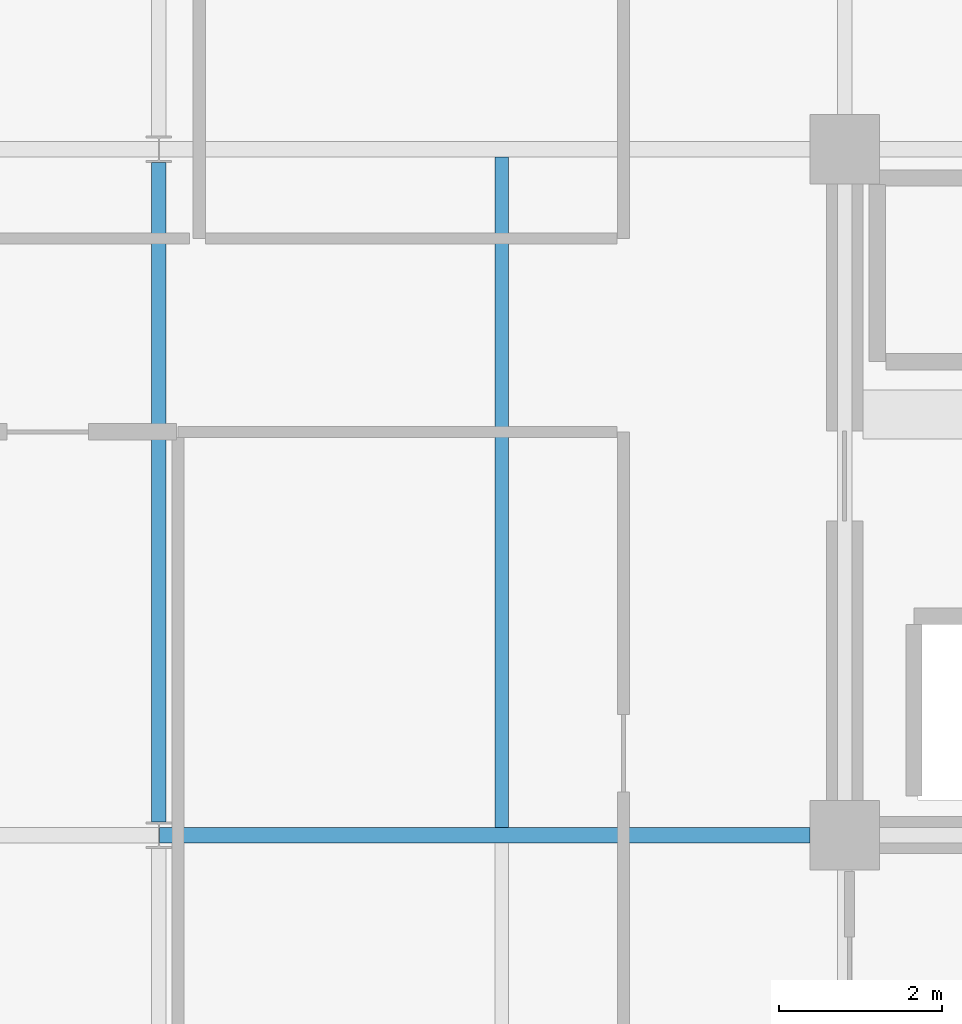
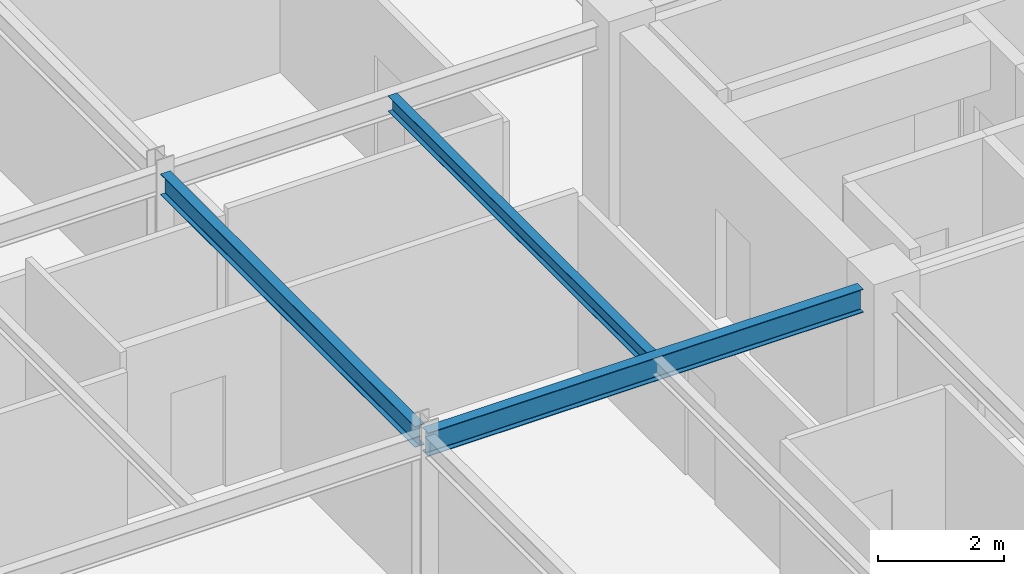
# One storey, part 6 of 24: 3 beams.
"""IFC4 building model written with IfcOpenShell, lengths in metres."""

import ifcopenshell
import ifcopenshell.guid

model = None  # the IFC model being written
_history = None  # IfcOwnerHistory: only IFC2X3 demands one
_inside = {}  # id of a spatial element -> (the spatial element, [elements in it])
_under = {}  # id of a project, library or spatial element -> (it, [spatial elements below it])
_declared = {}  # id of a project -> (the project, [libraries it declares])
_typed = {}  # id of a type object -> (the type object, [elements of that type])
_made_of = {}  # id of a material, layer set ... -> (it, [elements and type objects made of it])


def new_model(schema):
    """Start an empty IFC model of exactly this schema.

    Asked for "IFC4X3", IfcOpenShell would pick the latest addendum, in which some entities
    have other attributes; the version numbers below select the first issue.
    IFC2X3 requires an IfcOwnerHistory on every rooted entity: one is made here for all.
    """
    global model, _history
    if schema == "IFC4X3":
        model = ifcopenshell.file(schema_version=(4, 3, 0, 0))
    else:
        model = ifcopenshell.file(schema=schema)
    _inside.clear()
    _under.clear()
    _declared.clear()
    _typed.clear()
    _made_of.clear()
    _history = None
    if model.schema == "IFC2X3":
        org = make("IfcOrganization", Name="unknown")
        user = make(
            "IfcPersonAndOrganization",
            ThePerson=make("IfcPerson", FamilyName="unknown"),
            TheOrganization=org,
        )
        app = make(
            "IfcApplication",
            ApplicationDeveloper=org,
            Version="unknown",
            ApplicationFullName="unknown",
            ApplicationIdentifier="unknown",
        )
        _history = make(
            "IfcOwnerHistory",
            OwningUser=user,
            OwningApplication=app,
            ChangeAction="ADDED",
            CreationDate=0,
        )
    return model


def make(cls, **values):
    """One entity of the class cls with the attributes given. An attribute that is None is left unset."""
    return model.create_entity(
        cls, **{name: value for name, value in values.items() if value is not None}
    )


def rooted(cls, **values):
    """An entity with a GlobalId (a new one), such as an element, a storey or a relation."""
    return make(cls, GlobalId=ifcopenshell.guid.new(), OwnerHistory=_history, **values)


def si_unit(unit_type, name, prefix=None):
    """IfcSIUnit, for example si_unit("LENGTHUNIT", "METRE", prefix="MILLI")."""
    return make("IfcSIUnit", UnitType=unit_type, Prefix=prefix, Name=name)


def assignment(units):
    """IfcUnitAssignment: the units of a project."""
    return None if units is None else make("IfcUnitAssignment", Units=units)


def point(xyz):
    """IfcCartesianPoint."""
    return None if xyz is None else make("IfcCartesianPoint", Coordinates=xyz)


def direction(xyz):
    """IfcDirection."""
    return None if xyz is None else make("IfcDirection", DirectionRatios=xyz)


def frame(location, z_axis=None, x_axis=None):
    """IfcAxis2Placement3D, a coordinate frame: its origin and axes. An axis left out is left unset."""
    return make(
        "IfcAxis2Placement3D",
        Location=point(location),
        Axis=direction(z_axis),
        RefDirection=direction(x_axis),
    )


def frame_2d(location, x_axis=None):
    """IfcAxis2Placement2D, a coordinate frame in the plane: its origin and x axis."""
    return make(
        "IfcAxis2Placement2D", Location=point(location), RefDirection=direction(x_axis)
    )


def origin():
    """The frame at (0, 0, 0) with its axes left unset."""
    return frame((0.0, 0.0, 0.0))


def origin_2d():
    """The frame at (0, 0) in the plane with its x axis left unset."""
    return frame_2d((0.0, 0.0))


def place(relative_to, where):
    """IfcLocalPlacement: puts the frame where relative to a parent placement (None: the world)."""
    return make(
        "IfcLocalPlacement", PlacementRelTo=relative_to, RelativePlacement=where
    )


def context(
    kind, dimensions, precision=None, world=None, true_north=None, identifier=None
):
    """IfcGeometricRepresentationContext, for example the 3D "Model" context."""
    return make(
        "IfcGeometricRepresentationContext",
        ContextIdentifier=identifier,
        ContextType=kind,
        CoordinateSpaceDimension=dimensions,
        Precision=precision,
        WorldCoordinateSystem=world,
        TrueNorth=true_north,
    )


def subcontext(parent, identifier, kind, view, scale=None):
    """IfcGeometricRepresentationSubContext, for example "Body" below "Model"."""
    return make(
        "IfcGeometricRepresentationSubContext",
        ContextIdentifier=identifier,
        ContextType=kind,
        ParentContext=parent,
        TargetScale=scale,
        TargetView=view,
    )


def project(units=None, contexts=None):
    """IfcProject with its units and contexts."""
    return rooted(
        "IfcProject",
        Name="project",
        RepresentationContexts=contexts,
        UnitsInContext=assignment(units),
    )


def spatial(cls, under=None, at=None, **own):
    """A site, building, storey or space (cls), placed at a placement, below another one or the project."""
    s = rooted(cls, ObjectPlacement=at, **own)
    if under is not None:
        _under.setdefault(under.id(), (under, []))[1].append(s)
    return s


def profile(cls, at=None, kind="AREA", **sizes):
    """A parametric profile (cls). Its sizes go by their IFC names, for example OverallWidth=200.0."""
    return make(cls, ProfileType=kind, Position=at, **sizes)


def i_section(**sizes):
    """IfcIShapeProfileDef."""
    return profile("IfcIShapeProfileDef", **sizes)


def extrude(swept, where, along, depth):
    """IfcExtrudedAreaSolid: the profile swept, set in the frame where, extruded along a direction by depth."""
    return make(
        "IfcExtrudedAreaSolid",
        SweptArea=swept,
        Position=where,
        ExtrudedDirection=direction(along),
        Depth=depth,
    )


def shape(context_of_items, identifier, shape_type, items):
    """IfcShapeRepresentation: the items that make up one representation, for example the "Body"."""
    return make(
        "IfcShapeRepresentation",
        ContextOfItems=context_of_items,
        RepresentationIdentifier=identifier,
        RepresentationType=shape_type,
        Items=items,
    )


def material(Name=None, Category=None):
    """IfcMaterial."""
    return make("IfcMaterial", Name=Name, Category=Category)


def material_profile(
    of_material, cross_section, Name=None, Category=None, Priority=None
):
    """IfcMaterialProfile: a cross section and its material."""
    return make(
        "IfcMaterialProfile",
        Name=Name,
        Material=of_material,
        Profile=cross_section,
        Priority=Priority,
        Category=Category,
    )


def profile_set(profiles, Name=None, composite=None):
    """IfcMaterialProfileSet."""
    return make(
        "IfcMaterialProfileSet",
        Name=Name,
        MaterialProfiles=profiles,
        CompositeProfile=composite,
    )


def made_of(thing, what):
    """Note that an element or type object is made of a material, layer set ...; save() writes the relation."""
    if what is not None:
        _made_of.setdefault(what.id(), (what, []))[1].append(thing)
    return thing


def type_object(cls, material=None, **own):
    """A type object (cls), such as IfcWallType, which elements share."""
    return made_of(rooted(cls, **own), material)


def element(
    cls,
    number,
    at=None,
    inside=None,
    cuts=None,
    type_object=None,
    material=None,
    context=None,
    identifier="Body",
    shape_type=None,
    held_by="IfcProductDefinitionShape",
    body=None,
    shapes=None,
    **own,
):
    """One element of the class cls, such as IfcWall. Its Tag is "e" and its number.

    at: its placement. inside: the storey or other place that contains it. cuts: it is an
    opening in that element (IfcRelVoidsElement). A single representation is given by context,
    identifier, shape_type and body (its items); several are given by shapes. held_by: the class
    of the entity that holds the representations. save() writes the other relations.
    """
    e = rooted(cls, Tag="e%d" % number, ObjectPlacement=at, **own)
    if body is not None:
        shapes = [shape(context, identifier, shape_type, body)]
    if shapes is not None:
        e.Representation = make(held_by, Representations=shapes)
    if inside is not None:
        _inside.setdefault(inside.id(), (inside, []))[1].append(e)
    if cuts is not None:
        rooted(
            "IfcRelVoidsElement", RelatingBuildingElement=cuts, RelatedOpeningElement=e
        )
    if type_object is not None:
        _typed.setdefault(type_object.id(), (type_object, []))[1].append(e)
    return made_of(e, material)


def aggregate(whole, parts):
    """IfcRelAggregates: a whole, such as a stair, and the parts it consists of."""
    return rooted("IfcRelAggregates", RelatingObject=whole, RelatedObjects=parts)


def save(model, path):
    """Write the relations noted so far, then the file.

    IfcRelAggregates (storeys below a building ...), IfcRelContainedInSpatialStructure (elements
    in a storey), IfcRelDefinesByType, IfcRelAssociatesMaterial and IfcRelDeclares: one each for
    every whole, place, type object, material and project.
    """
    for whole, parts in _under.values():
        aggregate(whole, parts)
    for where, things in _inside.values():
        rooted(
            "IfcRelContainedInSpatialStructure",
            RelatedElements=things,
            RelatingStructure=where,
        )
    for kind, things in _typed.values():
        rooted("IfcRelDefinesByType", RelatedObjects=things, RelatingType=kind)
    for what, things in _made_of.values():
        rooted("IfcRelAssociatesMaterial", RelatedObjects=things, RelatingMaterial=what)
    for by, libraries in _declared.values():
        rooted("IfcRelDeclares", RelatingContext=by, RelatedDefinitions=libraries)
    model.write(path)


model = new_model("IFC4")

# Units and contexts
model_context = context("Model", 3, precision=1e-05, world=origin(), true_north=direction((0.0, 1.0)))
body_context = subcontext(model_context, "Body", "Model", "MODEL_VIEW")
ifc_project = project(units=[si_unit("LENGTHUNIT", "METRE"), si_unit("AREAUNIT", "SQUARE_METRE"), si_unit("VOLUMEUNIT", "CUBIC_METRE"), si_unit("PLANEANGLEUNIT", "RADIAN"), si_unit("MASSUNIT", "GRAM", prefix="KILO")], contexts=[model_context])

# Site, building, storey
site_placement = place(None, origin())
site = spatial("IfcSite", under=ifc_project, at=site_placement, CompositionType="ELEMENT")
building_placement = place(site_placement, origin())
building = spatial("IfcBuilding", under=site, at=building_placement, Name="Nerrivon Quay Data Exchange", CompositionType="ELEMENT")
storey_placement = place(building_placement, frame((0.0, 0.0, 306.199951171875)))
storey = spatial("IfcBuildingStorey", under=building, at=storey_placement, Name="L73", CompositionType="ELEMENT", Elevation=306.199951171875)

# Beams
ifc_material = material(Name="Steel Grade 350", Category="steel")
ifc_material_profile_1 = material_profile(ifc_material, i_section(OverallWidth=0.18994140625, OverallDepth=0.4541015625, WebThickness=0.008544921875, FlangeThickness=0.0126953125, FilletRadius=0.011474609375, at=origin_2d()), Name="460UB67.1")
ifc_profile_set_1 = profile_set([ifc_material_profile_1], Name="Steel Grade 350")
beam_type_1 = type_object("IfcBeamType", Name="BM-G6-460UB67", PredefinedType="BEAM", material=ifc_profile_set_1)
beam_1_placement = place(storey_placement, frame((8.40771484375, 8.39990234375, 3.498046875), z_axis=(1.0, 0.0, 0.0), x_axis=(0.0, 1.0, 0.0)))
element("IfcBeam", 1, at=beam_1_placement, inside=storey, type_object=beam_type_1, Name="L73 EW Girder Y=8.4 (8.4..16.8)", PredefinedType="BEAM", context=body_context, shape_type="SweptSolid", body=[
    extrude(i_section(OverallWidth=0.18994140625, OverallDepth=0.4541015625, WebThickness=0.008544921875, FlangeThickness=0.0126953125, FilletRadius=0.011474609375, at=origin_2d()), origin(), (0.0, 0.0, 1.0), 7.96728515625),
])
ifc_material_profile_2 = material_profile(ifc_material, i_section(OverallWidth=0.177978515625, OverallDepth=0.406005859375, WebThickness=0.0078125, FlangeThickness=0.0126953125, FilletRadius=0.011474609375, at=origin_2d()), Name="410UB59.7")
ifc_profile_set_2 = profile_set([ifc_material_profile_2], Name="Steel Grade 350")
beam_type_2 = type_object("IfcBeamType", Name="BM-J1-410UB60", PredefinedType="JOIST", material=ifc_profile_set_2)
beam_2_placement = place(storey_placement, frame((8.39990234375, 8.5634765625, 3.52197265625), z_axis=(0.0, 1.0, 0.0), x_axis=(-1.0, 0.0, 0.0)))
element("IfcBeam", 2, at=beam_2_placement, inside=storey, type_object=beam_type_2, Name="L73 NS Girder X=8.4 (8.4..16.8)", PredefinedType="JOIST", context=body_context, shape_type="SweptSolid", body=[
    extrude(i_section(OverallWidth=0.177978515625, OverallDepth=0.406005859375, WebThickness=0.0078125, FlangeThickness=0.0126953125, FilletRadius=0.011474609375, at=origin_2d()), origin(), (0.0, 0.0, 1.0), 8.072998046875),
])
ifc_material_profile_3 = material_profile(ifc_material, i_section(OverallWidth=0.1650390625, OverallDepth=0.303955078125, WebThickness=0.006103515625, FlangeThickness=0.01025390625, FilletRadius=0.011474609375, at=origin_2d()), Name="310UB40.4")
ifc_profile_set_3 = profile_set([ifc_material_profile_3], Name="Steel Grade 350")
beam_type_3 = type_object("IfcBeamType", Name="BM-J6-310UB40", PredefinedType="JOIST", material=ifc_profile_set_3)
beam_3_placement = place(storey_placement, frame((12.60009765625, 8.4951171875, 3.572998046875), z_axis=(0.0, 1.0, 0.0), x_axis=(-1.0, 0.0, 0.0)))
element("IfcBeam", 3, at=beam_3_placement, inside=storey, type_object=beam_type_3, Name="L73 Secondary Joist X=12.6 (8.4..16.8)", PredefinedType="JOIST", context=body_context, shape_type="SweptSolid", body=[
    extrude(i_section(OverallWidth=0.1650390625, OverallDepth=0.303955078125, WebThickness=0.006103515625, FlangeThickness=0.01025390625, FilletRadius=0.011474609375, at=origin_2d()), origin(), (0.0, 0.0, 1.0), 8.2099609375),
])

save(model, "model.ifc")
